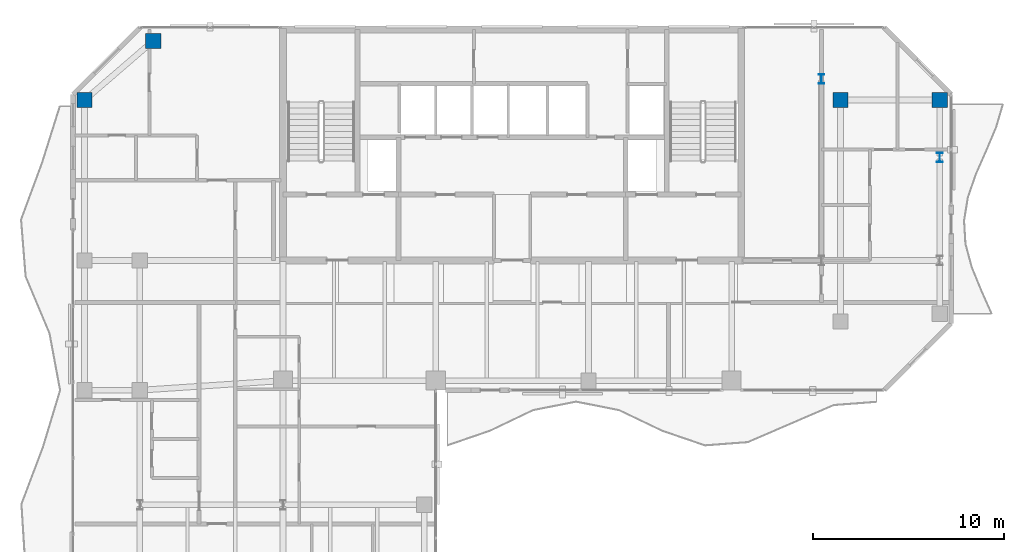
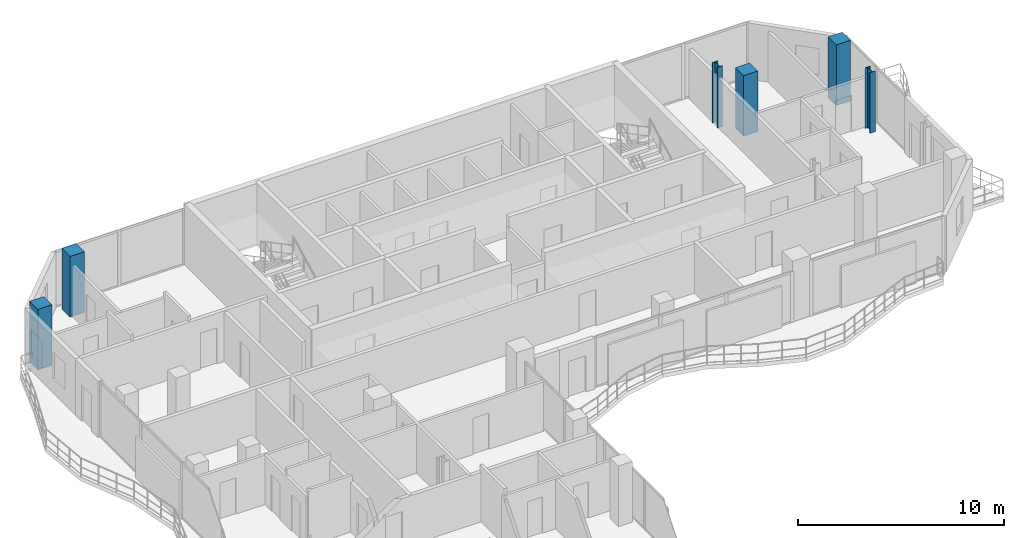
# One storey, part 2 of 23: 6 columns.
"""IFC4 building model written with IfcOpenShell, lengths in metres."""

from ifc_helpers import new_model, si_unit, direction, frame, origin, origin_2d, place, context, subcontext, project, spatial, rectangle, i_section, extrude, material, material_profile, profile_set, type_object, element, save


model = new_model("IFC4")

# Units and contexts
model_context = context("Model", 3, precision=1e-05, world=origin(), true_north=direction((0.0, 1.0)))
body_context = subcontext(model_context, "Body", "Model", "MODEL_VIEW")
ifc_project = project(units=[si_unit("LENGTHUNIT", "METRE"), si_unit("AREAUNIT", "SQUARE_METRE"), si_unit("VOLUMEUNIT", "CUBIC_METRE"), si_unit("PLANEANGLEUNIT", "RADIAN"), si_unit("MASSUNIT", "GRAM", prefix="KILO")], contexts=[model_context])

# Site, building, storey
site_placement = place(None, origin())
site = spatial("IfcSite", under=ifc_project, at=site_placement, CompositionType="ELEMENT")
building_placement = place(site_placement, origin())
building = spatial("IfcBuilding", under=site, at=building_placement, Name="Catumbela Crestline Tower", CompositionType="ELEMENT")
storey_placement = place(building_placement, frame((0.0, 0.0, 165.0)))
storey = spatial("IfcBuildingStorey", under=building, at=storey_placement, Name="L42", CompositionType="ELEMENT", Elevation=165.0)

# Columns
ifc_material_1 = material(Name="Concrete C50/60", Category="concrete")
ifc_material_profile_1 = material_profile(ifc_material_1, rectangle(XDim=0.8, YDim=0.8, at=origin_2d()), Name="RC 800x800")
ifc_profile_set_1 = profile_set([ifc_material_profile_1], Name="Concrete C50/60")
column_type_1 = type_object("IfcColumnType", Name="C-RC800-C50", PredefinedType="COLUMN", material=ifc_profile_set_1)
for number, where, z_axis, x_axis, name in (
    (1, (5.6, 39.2, 0.0), (0.0, 0.0, 1.0), (1.0, 0.0, 0.0), "L42 Column C-05-43 (RC 800x800)"),
    (2, (9.2, 42.3, 0.0), (0.0, 0.0, 1.0), (1.0, 0.0, 0.0), "L42 Column C-08-43 (RC 800x800)"),
    (3, (45.2, 39.2, 0.0), (0.0, 0.0, 1.0), (1.0, 0.0, 0.0), "L42 Column C-46-43 (RC 800x800)"),
    (4, (50.4, 39.2, 0.0), (0.0, 0.0, 1.0), (1.0, 0.0, 0.0), "L42 Column C-51-43 (RC 800x800)"),
):
    element("IfcColumn", number, at=place(storey_placement, frame(where, z_axis=z_axis, x_axis=x_axis)), inside=storey, type_object=column_type_1, Name=name, PredefinedType="COLUMN", context=body_context, shape_type="SweptSolid", body=[
        extrude(rectangle(XDim=0.8, YDim=0.8, at=origin_2d()), origin(), (0.0, 0.0, 1.0), 3.6),
    ])
ifc_material_2 = material(Name="Structural steel S355J2", Category="steel")
ifc_material_profile_2 = material_profile(ifc_material_2, i_section(OverallWidth=0.3, OverallDepth=0.5, WebThickness=0.0145, FlangeThickness=0.028, FilletRadius=0.027, at=origin_2d()), Name="HEB 500")
ifc_profile_set_2 = profile_set([ifc_material_profile_2], Name="Structural steel S355J2")
column_type_2 = type_object("IfcColumnType", Name="C-ST-HEB500", PredefinedType="COLUMN", material=ifc_profile_set_2)
for number, where, z_axis, x_axis, name in (
    (5, (44.2, 40.3, 0.0), (0.0, 0.0, 1.0), (1.0, 0.0, 0.0), "L42 Column CT-46-37 (HEB 500)"),
    (6, (50.4, 36.2, 0.0), (0.0, 0.0, 1.0), (1.0, 0.0, 0.0), "L42 Column CT-51-37 (HEB 500)"),
):
    element("IfcColumn", number, at=place(storey_placement, frame(where, z_axis=z_axis, x_axis=x_axis)), inside=storey, type_object=column_type_2, Name=name, PredefinedType="COLUMN", context=body_context, shape_type="SweptSolid", body=[
        extrude(i_section(OverallWidth=0.3, OverallDepth=0.5, WebThickness=0.0145, FlangeThickness=0.028, FilletRadius=0.027, at=origin_2d()), origin(), (0.0, 0.0, 1.0), 3.6),
    ])

save(model, "model.ifc")
